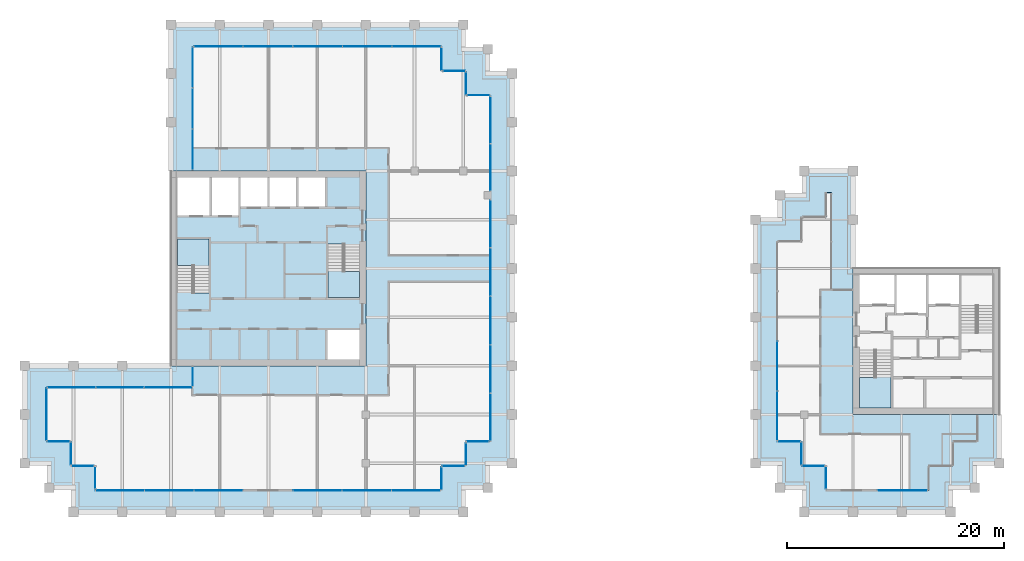
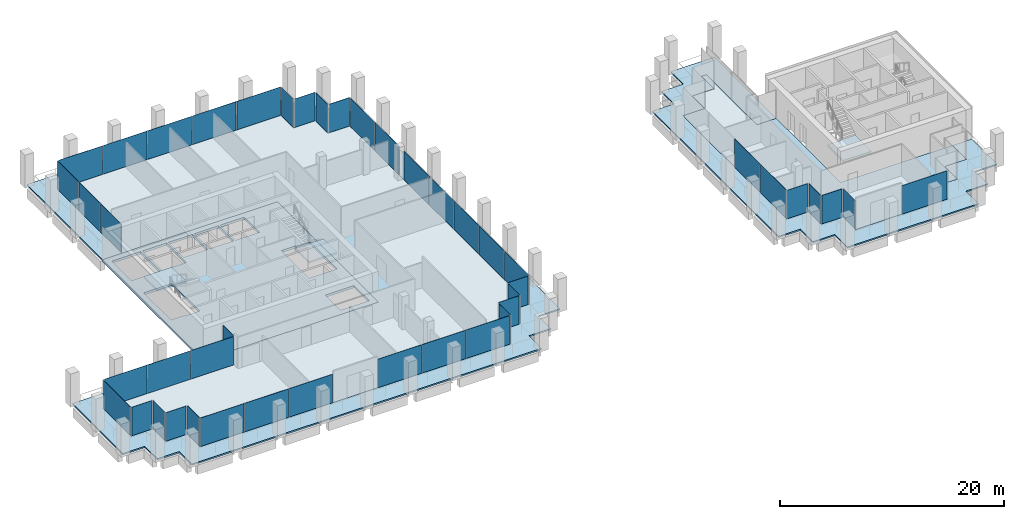
# One storey, part 34 of 40: 45 plates, 8 slabs, 30 elements without a shape of their own.
"""IFC4 building model written with IfcOpenShell, lengths in metres."""

from ifc_helpers import new_model, si_unit, direction, frame, origin, origin_2d, place, context, subcontext, project, spatial, polyline, rectangle, outline, extrude, material, layer, layer_set, type_object, element, aggregate, save


model = new_model("IFC4")

# Units and contexts
model_context = context("Model", 3, precision=1e-05, world=origin(), true_north=direction((0.0, 1.0)))
body_context = subcontext(model_context, "Body", "Model", "MODEL_VIEW")
ifc_project = project(units=[si_unit("LENGTHUNIT", "METRE"), si_unit("AREAUNIT", "SQUARE_METRE"), si_unit("VOLUMEUNIT", "CUBIC_METRE"), si_unit("PLANEANGLEUNIT", "RADIAN"), si_unit("MASSUNIT", "GRAM", prefix="KILO")], contexts=[model_context])

# Site, building, storey
site_placement = place(None, origin())
site = spatial("IfcSite", under=ifc_project, at=site_placement, CompositionType="ELEMENT")
building_placement = place(site_placement, origin())
building = spatial("IfcBuilding", under=site, at=building_placement, Name="Altepetl Exchange Towers", CompositionType="ELEMENT")
storey_placement = place(building_placement, frame((0.0, 0.0, 165.39990234375)))
storey = spatial("IfcBuildingStorey", under=building, at=storey_placement, Name="L41", CompositionType="ELEMENT", Elevation=165.39990234375)

# Slabs
ifc_material_1 = material(Name="Concrete C40/50", Category="concrete")
ifc_layer_1 = layer(ifc_material_1, 0.14990234375)
ifc_layer_set_1 = layer_set([ifc_layer_1], Name="Concrete C40/50")
slab_type_1 = type_object("IfcSlabType", Name="Composite floor slab 150", PredefinedType="FLOOR", material=ifc_layer_set_1)
slab_1_placement = place(storey_placement, frame((0.0, 0.0, -0.14990234375)))
element("IfcSlab", 1, at=slab_1_placement, inside=storey, type_object=slab_type_1, Name="slab:A:L41:strip0", PredefinedType="FLOOR", context=body_context, shape_type="SweptSolid", body=[
    extrude(outline(polyline([(42.5, 70.0), (42.5, 58.5), (58.5, 58.5), (58.5, 40.5), (42.5, 40.5), (42.5, 38.5), (29.0, 38.5), (29.0, 33.5), (31.25, 33.5), (31.25, 31.25), (33.5, 31.25), (33.5, 29.0), (65.5, 29.0), (65.5, 31.25), (67.75, 31.25), (67.75, 33.5), (70.0, 33.5), (70.0, 65.5), (67.75, 65.5), (67.75, 67.75), (65.5, 67.75), (65.5, 70.0), (42.5, 70.0)])), origin(), (0.0, 0.0, 1.0), 0.14990234375),
])
slab_2_placement = place(storey_placement, frame((0.0, 0.0, -0.14990234375)))
element("IfcSlab", 2, at=slab_2_placement, inside=storey, type_object=slab_type_1, Name="slab:B:L41:strip0", PredefinedType="FLOOR", context=body_context, shape_type="SweptSolid", body=[
    extrude(outline(polyline([(98.75, 31.25), (101.0, 31.25), (101.0, 29.0), (110.5, 29.0), (110.5, 31.25), (112.75, 31.25), (112.75, 33.5), (115.0, 33.5), (115.0, 36.0), (103.5, 36.0), (103.5, 47.5), (101.5, 47.5), (101.5, 56.5), (101.0, 56.5), (101.0, 54.25), (98.75, 54.25), (98.75, 52.0), (96.5, 52.0), (96.5, 33.5), (98.75, 33.5), (98.75, 31.25)])), origin(), (0.0, 0.0, 1.0), 0.14990234375),
])
ifc_layer_2 = layer(ifc_material_1, 0.25)
ifc_layer_set_2 = layer_set([ifc_layer_2], Name="Concrete C40/50")
slab_type_2 = type_object("IfcSlabType", Name="Core floor slab 250", PredefinedType="FLOOR", material=ifc_layer_set_2)
slab_3_placement = place(storey_placement, frame((0.0, 0.0, -0.25)))
element("IfcSlab", 3, at=slab_3_placement, inside=storey, type_object=slab_type_2, Name="slab:A:L41:core0", PredefinedType="FLOOR", context=body_context, shape_type="SweptSolid", body=[
    extrude(outline(polyline([(40.5, 40.5), (58.5, 40.5), (58.5, 58.5), (40.5, 58.5), (40.5, 40.5)]), holes=[polyline([(54.93310546875, 43.800048828125), (57.89990234375, 43.800048828125), (57.89990234375, 41.10009765625), (54.93310546875, 41.10009765625), (54.93310546875, 43.800048828125)]), polyline([(55.0, 51.7490234375), (56.5, 51.7490234375), (56.5, 51.64990234375), (57.89990234375, 51.64990234375), (57.89990234375, 46.800048828125), (55.0, 46.800048828125), (55.0, 51.7490234375)]), polyline([(44.0, 47.2509765625), (42.5, 47.2509765625), (42.5, 47.35009765625), (41.10009765625, 47.35009765625), (41.10009765625, 52.199951171875), (44.0, 52.199951171875), (44.0, 47.2509765625)]), polyline([(41.10009765625, 57.89990234375), (44.06689453125, 57.89990234375), (44.06689453125, 54.39990234375), (41.10009765625, 54.39990234375), (41.10009765625, 57.89990234375)]), polyline([(44.26708984375, 57.89990234375), (46.73291015625, 57.89990234375), (46.73291015625, 54.39990234375), (44.26708984375, 54.39990234375), (44.26708984375, 57.89990234375)]), polyline([(46.93310546875, 57.89990234375), (49.39990234375, 57.89990234375), (49.39990234375, 55.199951171875), (46.93310546875, 55.199951171875), (46.93310546875, 57.89990234375)]), polyline([(49.60009765625, 57.89990234375), (52.06689453125, 57.89990234375), (52.06689453125, 55.199951171875), (49.60009765625, 55.199951171875), (49.60009765625, 57.89990234375)]), polyline([(52.26708984375, 57.89990234375), (54.73291015625, 57.89990234375), (54.73291015625, 55.199951171875), (52.26708984375, 55.199951171875), (52.26708984375, 57.89990234375)])]), origin(), (0.0, 0.0, 1.0), 0.25),
])

# Curtain wall, plate
ifc_material_2 = material(Name="Aluminium 6063-T6 glazing", Category="aluminium")
curtain_wall_type = type_object("IfcCurtainWallType", Name="Loggia glazing system", PredefinedType="NOTDEFINED", material=ifc_material_2)
curtain_wall_1_placement = place(storey_placement, origin())
curtain_wall_1 = element("IfcCurtainWall", 4, at=curtain_wall_1_placement, inside=storey, type_object=curtain_wall_type, Name="CW1 run", PredefinedType="NOTDEFINED")
ifc_material_3 = material(Name="Glass 6-16-6 low emissivity", Category="glass")
ifc_layer_3 = layer(ifc_material_3, 0.028076171875)
ifc_layer_set_3 = layer_set([ifc_layer_3], Name="Glass 6-16-6 low emissivity")
plate_type = type_object("IfcPlateType", Name="Glass panel 28 double glazed", PredefinedType="CURTAIN_PANEL", material=ifc_layer_set_3)
plate_1_placement = place(storey_placement, frame((42.5, 39.53759765625, 0.0), z_axis=(0.0, 0.0, 1.0), x_axis=(0.0, -1.0, 0.0)))
plate_1 = element("IfcPlate", 5, at=plate_1_placement, type_object=plate_type, Name="GP1 panel", PredefinedType="CURTAIN_PANEL", context=body_context, shape_type="SweptSolid", body=[
    extrude(rectangle(XDim=1.804931640625, YDim=0.028076171875, at=origin_2d()), origin(), (0.0, 0.0, 1.0), 3.10009765625),
])
aggregate(curtain_wall_1, [plate_1])

# Curtain wall, plates
curtain_wall_2_placement = place(storey_placement, origin())
curtain_wall_2 = element("IfcCurtainWall", 6, at=curtain_wall_2_placement, inside=storey, type_object=curtain_wall_type, Name="CW1 run", PredefinedType="NOTDEFINED")
plate_2_placement = place(storey_placement, frame((40.24755859375, 38.5, 0.0), z_axis=(0.0, 0.0, 1.0), x_axis=(-1.0, 0.0, 0.0)))
plate_2 = element("IfcPlate", 7, at=plate_2_placement, type_object=plate_type, Name="GP1 panel", PredefinedType="CURTAIN_PANEL", context=body_context, shape_type="SweptSolid", body=[
    extrude(rectangle(XDim=4.385009765625, YDim=0.028076171875, at=origin_2d()), origin(), (0.0, 0.0, 1.0), 3.10009765625),
])
plate_3_placement = place(storey_placement, frame((35.78759765625, 38.5, 0.0), z_axis=(0.0, 0.0, 1.0), x_axis=(-1.0, 0.0, 0.0)))
plate_3 = element("IfcPlate", 8, at=plate_3_placement, type_object=plate_type, Name="GP1 panel", PredefinedType="CURTAIN_PANEL", context=body_context, shape_type="SweptSolid", body=[
    extrude(rectangle(XDim=4.4150390625, YDim=0.028076171875, at=origin_2d()), origin(), (0.0, 0.0, 1.0), 3.10009765625),
])
plate_4_placement = place(storey_placement, frame((31.327392578125, 38.5, 0.0), z_axis=(0.0, 0.0, 1.0), x_axis=(-1.0, 0.0, 0.0)))
plate_4 = element("IfcPlate", 9, at=plate_4_placement, type_object=plate_type, Name="GP1 panel", PredefinedType="CURTAIN_PANEL", context=body_context, shape_type="SweptSolid", body=[
    extrude(rectangle(XDim=4.385009765625, YDim=0.028076171875, at=origin_2d()), origin(), (0.0, 0.0, 1.0), 3.10009765625),
])
aggregate(curtain_wall_2, [plate_2, plate_3, plate_4])

# Curtain wall, plate
curtain_wall_3_placement = place(storey_placement, origin())
curtain_wall_3 = element("IfcCurtainWall", 10, at=curtain_wall_3_placement, inside=storey, type_object=curtain_wall_type, Name="CW1 run", PredefinedType="NOTDEFINED")
plate_5_placement = place(storey_placement, frame((29.0, 36.03759765625, 0.0), z_axis=(0.0, 0.0, 1.0), x_axis=(0.0, -1.0, 0.0)))
plate_5 = element("IfcPlate", 11, at=plate_5_placement, type_object=plate_type, Name="GP1 panel", PredefinedType="CURTAIN_PANEL", context=body_context, shape_type="SweptSolid", body=[
    extrude(rectangle(XDim=4.804931640625, YDim=0.028076171875, at=origin_2d()), origin(), (0.0, 0.0, 1.0), 3.10009765625),
])
aggregate(curtain_wall_3, [plate_5])

curtain_wall_4_placement = place(storey_placement, origin())
curtain_wall_4 = element("IfcCurtainWall", 12, at=curtain_wall_4_placement, inside=storey, type_object=curtain_wall_type, Name="CW1 run", PredefinedType="NOTDEFINED")
plate_6_placement = place(storey_placement, frame((30.08740234375, 33.5, 0.0)))
plate_6 = element("IfcPlate", 13, at=plate_6_placement, type_object=plate_type, Name="GP1 panel", PredefinedType="CURTAIN_PANEL", context=body_context, shape_type="SweptSolid", body=[
    extrude(rectangle(XDim=2.054931640625, YDim=0.028076171875, at=origin_2d()), origin(), (0.0, 0.0, 1.0), 3.10009765625),
])
aggregate(curtain_wall_4, [plate_6])

curtain_wall_5_placement = place(storey_placement, origin())
curtain_wall_5 = element("IfcCurtainWall", 14, at=curtain_wall_5_placement, inside=storey, type_object=curtain_wall_type, Name="CW1 run", PredefinedType="NOTDEFINED")
plate_7_placement = place(storey_placement, frame((31.25, 32.41259765625, 0.0), z_axis=(0.0, 0.0, 1.0), x_axis=(0.0, -1.0, 0.0)))
plate_7 = element("IfcPlate", 15, at=plate_7_placement, type_object=plate_type, Name="GP1 panel", PredefinedType="CURTAIN_PANEL", context=body_context, shape_type="SweptSolid", body=[
    extrude(rectangle(XDim=2.054931640625, YDim=0.028076171875, at=origin_2d()), origin(), (0.0, 0.0, 1.0), 3.10009765625),
])
aggregate(curtain_wall_5, [plate_7])

curtain_wall_6_placement = place(storey_placement, origin())
curtain_wall_6 = element("IfcCurtainWall", 16, at=curtain_wall_6_placement, inside=storey, type_object=curtain_wall_type, Name="CW1 run", PredefinedType="NOTDEFINED")
plate_8_placement = place(storey_placement, frame((32.33740234375, 31.25, 0.0)))
plate_8 = element("IfcPlate", 17, at=plate_8_placement, type_object=plate_type, Name="GP1 panel", PredefinedType="CURTAIN_PANEL", context=body_context, shape_type="SweptSolid", body=[
    extrude(rectangle(XDim=2.054931640625, YDim=0.028076171875, at=origin_2d()), origin(), (0.0, 0.0, 1.0), 3.10009765625),
])
aggregate(curtain_wall_6, [plate_8])

curtain_wall_7_placement = place(storey_placement, origin())
curtain_wall_7 = element("IfcCurtainWall", 18, at=curtain_wall_7_placement, inside=storey, type_object=curtain_wall_type, Name="CW1 run", PredefinedType="NOTDEFINED")
plate_9_placement = place(storey_placement, frame((33.5, 30.16259765625, 0.0), z_axis=(0.0, 0.0, 1.0), x_axis=(0.0, -1.0, 0.0)))
plate_9 = element("IfcPlate", 19, at=plate_9_placement, type_object=plate_type, Name="GP1 panel", PredefinedType="CURTAIN_PANEL", context=body_context, shape_type="SweptSolid", body=[
    extrude(rectangle(XDim=2.054931640625, YDim=0.028076171875, at=origin_2d()), origin(), (0.0, 0.0, 1.0), 3.10009765625),
])
aggregate(curtain_wall_7, [plate_9])

# Curtain wall, plates
curtain_wall_8_placement = place(storey_placement, origin())
curtain_wall_8 = element("IfcCurtainWall", 20, at=curtain_wall_8_placement, inside=storey, type_object=curtain_wall_type, Name="CW1 run", PredefinedType="NOTDEFINED")
plate_10_placement = place(storey_placement, frame((35.79541015625, 29.0, 0.0)))
plate_10 = element("IfcPlate", 21, at=plate_10_placement, type_object=plate_type, Name="GP1 panel", PredefinedType="CURTAIN_PANEL", context=body_context, shape_type="SweptSolid", body=[
    extrude(rectangle(XDim=4.470703125, YDim=0.028076171875, at=origin_2d()), origin(), (0.0, 0.0, 1.0), 3.10009765625),
])
plate_11_placement = place(storey_placement, frame((40.341064453125, 29.0, 0.0)))
plate_11 = element("IfcPlate", 22, at=plate_11_placement, type_object=plate_type, Name="GP1 panel", PredefinedType="CURTAIN_PANEL", context=body_context, shape_type="SweptSolid", body=[
    extrude(rectangle(XDim=4.500732421875, YDim=0.028076171875, at=origin_2d()), origin(), (0.0, 0.0, 1.0), 3.10009765625),
])
plate_12_placement = place(storey_placement, frame((44.88671875, 29.0, 0.0)))
plate_12 = element("IfcPlate", 23, at=plate_12_placement, type_object=plate_type, Name="GP1 panel", PredefinedType="CURTAIN_PANEL", context=body_context, shape_type="SweptSolid", body=[
    extrude(rectangle(XDim=4.470703125, YDim=0.028076171875, at=origin_2d()), origin(), (0.0, 0.0, 1.0), 3.10009765625),
])
aggregate(curtain_wall_8, [plate_10, plate_11, plate_12])

curtain_wall_9_placement = place(storey_placement, origin())
curtain_wall_9 = element("IfcCurtainWall", 24, at=curtain_wall_9_placement, inside=storey, type_object=curtain_wall_type, Name="CW1 run", PredefinedType="NOTDEFINED")
plate_13_placement = place(storey_placement, frame((54.038330078125, 29.0, 0.0)))
plate_13 = element("IfcPlate", 25, at=plate_13_placement, type_object=plate_type, Name="GP1 panel", PredefinedType="CURTAIN_PANEL", context=body_context, shape_type="SweptSolid", body=[
    extrude(rectangle(XDim=4.470703125, YDim=0.028076171875, at=origin_2d()), origin(), (0.0, 0.0, 1.0), 3.10009765625),
])
plate_14_placement = place(storey_placement, frame((58.583984375, 29.0, 0.0)))
plate_14 = element("IfcPlate", 26, at=plate_14_placement, type_object=plate_type, Name="GP1 panel", PredefinedType="CURTAIN_PANEL", context=body_context, shape_type="SweptSolid", body=[
    extrude(rectangle(XDim=4.500732421875, YDim=0.028076171875, at=origin_2d()), origin(), (0.0, 0.0, 1.0), 3.10009765625),
])
plate_15_placement = place(storey_placement, frame((63.129638671875, 29.0, 0.0)))
plate_15 = element("IfcPlate", 27, at=plate_15_placement, type_object=plate_type, Name="GP1 panel", PredefinedType="CURTAIN_PANEL", context=body_context, shape_type="SweptSolid", body=[
    extrude(rectangle(XDim=4.470703125, YDim=0.028076171875, at=origin_2d()), origin(), (0.0, 0.0, 1.0), 3.10009765625),
])
aggregate(curtain_wall_9, [plate_13, plate_14, plate_15])

# Curtain wall, plate
curtain_wall_10_placement = place(storey_placement, origin())
curtain_wall_10 = element("IfcCurtainWall", 28, at=curtain_wall_10_placement, inside=storey, type_object=curtain_wall_type, Name="CW1 run", PredefinedType="NOTDEFINED")
plate_16_placement = place(storey_placement, frame((65.5, 30.08740234375, 0.0), z_axis=(0.0, 0.0, 1.0), x_axis=(0.0, 1.0, 0.0)))
plate_16 = element("IfcPlate", 29, at=plate_16_placement, type_object=plate_type, Name="GP1 panel", PredefinedType="CURTAIN_PANEL", context=body_context, shape_type="SweptSolid", body=[
    extrude(rectangle(XDim=2.054931640625, YDim=0.028076171875, at=origin_2d()), origin(), (0.0, 0.0, 1.0), 3.10009765625),
])
aggregate(curtain_wall_10, [plate_16])

curtain_wall_11_placement = place(storey_placement, origin())
curtain_wall_11 = element("IfcCurtainWall", 30, at=curtain_wall_11_placement, inside=storey, type_object=curtain_wall_type, Name="CW1 run", PredefinedType="NOTDEFINED")
plate_17_placement = place(storey_placement, frame((66.58740234375, 31.25, 0.0)))
plate_17 = element("IfcPlate", 31, at=plate_17_placement, type_object=plate_type, Name="GP1 panel", PredefinedType="CURTAIN_PANEL", context=body_context, shape_type="SweptSolid", body=[
    extrude(rectangle(XDim=2.054931640625, YDim=0.028076171875, at=origin_2d()), origin(), (0.0, 0.0, 1.0), 3.10009765625),
])
aggregate(curtain_wall_11, [plate_17])

curtain_wall_12_placement = place(storey_placement, origin())
curtain_wall_12 = element("IfcCurtainWall", 32, at=curtain_wall_12_placement, inside=storey, type_object=curtain_wall_type, Name="CW1 run", PredefinedType="NOTDEFINED")
plate_18_placement = place(storey_placement, frame((67.75, 32.33740234375, 0.0), z_axis=(0.0, 0.0, 1.0), x_axis=(0.0, 1.0, 0.0)))
plate_18 = element("IfcPlate", 33, at=plate_18_placement, type_object=plate_type, Name="GP1 panel", PredefinedType="CURTAIN_PANEL", context=body_context, shape_type="SweptSolid", body=[
    extrude(rectangle(XDim=2.054931640625, YDim=0.028076171875, at=origin_2d()), origin(), (0.0, 0.0, 1.0), 3.10009765625),
])
aggregate(curtain_wall_12, [plate_18])

curtain_wall_13_placement = place(storey_placement, origin())
curtain_wall_13 = element("IfcCurtainWall", 34, at=curtain_wall_13_placement, inside=storey, type_object=curtain_wall_type, Name="CW1 run", PredefinedType="NOTDEFINED")
plate_19_placement = place(storey_placement, frame((68.83740234375, 33.5, 0.0)))
plate_19 = element("IfcPlate", 35, at=plate_19_placement, type_object=plate_type, Name="GP1 panel", PredefinedType="CURTAIN_PANEL", context=body_context, shape_type="SweptSolid", body=[
    extrude(rectangle(XDim=2.054931640625, YDim=0.028076171875, at=origin_2d()), origin(), (0.0, 0.0, 1.0), 3.10009765625),
])
aggregate(curtain_wall_13, [plate_19])

# Curtain wall, plates
curtain_wall_14_placement = place(storey_placement, origin())
curtain_wall_14 = element("IfcCurtainWall", 36, at=curtain_wall_14_placement, inside=storey, type_object=curtain_wall_type, Name="CW1 run", PredefinedType="NOTDEFINED")
plate_20_placement = place(storey_placement, frame((70.0, 35.7529296875, 0.0), z_axis=(0.0, 0.0, 1.0), x_axis=(0.0, 1.0, 0.0)))
plate_20 = element("IfcPlate", 37, at=plate_20_placement, type_object=plate_type, Name="GP1 panel", PredefinedType="CURTAIN_PANEL", context=body_context, shape_type="SweptSolid", body=[
    extrude(rectangle(XDim=4.385986328125, YDim=0.028076171875, at=origin_2d()), origin(), (0.0, 0.0, 1.0), 3.10009765625),
])
plate_21_placement = place(storey_placement, frame((70.0, 40.214111328125, 0.0), z_axis=(0.0, 0.0, 1.0), x_axis=(0.0, 1.0, 0.0)))
plate_21 = element("IfcPlate", 38, at=plate_21_placement, type_object=plate_type, Name="GP1 panel", PredefinedType="CURTAIN_PANEL", context=body_context, shape_type="SweptSolid", body=[
    extrude(rectangle(XDim=4.416015625, YDim=0.028076171875, at=origin_2d()), origin(), (0.0, 0.0, 1.0), 3.10009765625),
])
plate_22_placement = place(storey_placement, frame((70.0, 44.68994140625, 0.0), z_axis=(0.0, 0.0, 1.0), x_axis=(0.0, 1.0, 0.0)))
plate_22 = element("IfcPlate", 39, at=plate_22_placement, type_object=plate_type, Name="GP1 panel", PredefinedType="CURTAIN_PANEL", context=body_context, shape_type="SweptSolid", body=[
    extrude(rectangle(XDim=4.416015625, YDim=0.028076171875, at=origin_2d()), origin(), (0.0, 0.0, 1.0), 3.10009765625),
])
plate_23_placement = place(storey_placement, frame((70.0, 49.166015625, 0.0), z_axis=(0.0, 0.0, 1.0), x_axis=(0.0, 1.0, 0.0)))
plate_23 = element("IfcPlate", 40, at=plate_23_placement, type_object=plate_type, Name="GP1 panel", PredefinedType="CURTAIN_PANEL", context=body_context, shape_type="SweptSolid", body=[
    extrude(rectangle(XDim=4.416015625, YDim=0.028076171875, at=origin_2d()), origin(), (0.0, 0.0, 1.0), 3.10009765625),
])
plate_24_placement = place(storey_placement, frame((70.0, 53.626953125, 0.0), z_axis=(0.0, 0.0, 1.0), x_axis=(0.0, 1.0, 0.0)))
plate_24 = element("IfcPlate", 41, at=plate_24_placement, type_object=plate_type, Name="GP1 panel", PredefinedType="CURTAIN_PANEL", context=body_context, shape_type="SweptSolid", body=[
    extrude(rectangle(XDim=4.385986328125, YDim=0.028076171875, at=origin_2d()), origin(), (0.0, 0.0, 1.0), 3.10009765625),
])
aggregate(curtain_wall_14, [plate_20, plate_21, plate_22, plate_23, plate_24])

curtain_wall_15_placement = place(storey_placement, origin())
curtain_wall_15 = element("IfcCurtainWall", 42, at=curtain_wall_15_placement, inside=storey, type_object=curtain_wall_type, Name="CW1 run", PredefinedType="NOTDEFINED")
plate_25_placement = place(storey_placement, frame((70.0, 58.836181640625, 0.0), z_axis=(0.0, 0.0, 1.0), x_axis=(0.0, 1.0, 0.0)))
plate_25 = element("IfcPlate", 43, at=plate_25_placement, type_object=plate_type, Name="GP1 panel", PredefinedType="CURTAIN_PANEL", context=body_context, shape_type="SweptSolid", body=[
    extrude(rectangle(XDim=4.3125, YDim=0.028076171875, at=origin_2d()), origin(), (0.0, 0.0, 1.0), 3.10009765625),
])
plate_26_placement = place(storey_placement, frame((70.0, 63.208740234375, 0.0), z_axis=(0.0, 0.0, 1.0), x_axis=(0.0, 1.0, 0.0)))
plate_26 = element("IfcPlate", 44, at=plate_26_placement, type_object=plate_type, Name="GP1 panel", PredefinedType="CURTAIN_PANEL", context=body_context, shape_type="SweptSolid", body=[
    extrude(rectangle(XDim=4.3125, YDim=0.028076171875, at=origin_2d()), origin(), (0.0, 0.0, 1.0), 3.10009765625),
])
aggregate(curtain_wall_15, [plate_25, plate_26])

# Curtain wall, plate
curtain_wall_16_placement = place(storey_placement, origin())
curtain_wall_16 = element("IfcCurtainWall", 45, at=curtain_wall_16_placement, inside=storey, type_object=curtain_wall_type, Name="CW1 run", PredefinedType="NOTDEFINED")
plate_27_placement = place(storey_placement, frame((68.91259765625, 65.5, 0.0), z_axis=(0.0, 0.0, 1.0), x_axis=(-1.0, 0.0, 0.0)))
plate_27 = element("IfcPlate", 46, at=plate_27_placement, type_object=plate_type, Name="GP1 panel", PredefinedType="CURTAIN_PANEL", context=body_context, shape_type="SweptSolid", body=[
    extrude(rectangle(XDim=2.054931640625, YDim=0.028076171875, at=origin_2d()), origin(), (0.0, 0.0, 1.0), 3.10009765625),
])
aggregate(curtain_wall_16, [plate_27])

curtain_wall_17_placement = place(storey_placement, origin())
curtain_wall_17 = element("IfcCurtainWall", 47, at=curtain_wall_17_placement, inside=storey, type_object=curtain_wall_type, Name="CW1 run", PredefinedType="NOTDEFINED")
plate_28_placement = place(storey_placement, frame((67.75, 66.58740234375, 0.0), z_axis=(0.0, 0.0, 1.0), x_axis=(0.0, 1.0, 0.0)))
plate_28 = element("IfcPlate", 48, at=plate_28_placement, type_object=plate_type, Name="GP1 panel", PredefinedType="CURTAIN_PANEL", context=body_context, shape_type="SweptSolid", body=[
    extrude(rectangle(XDim=2.054931640625, YDim=0.028076171875, at=origin_2d()), origin(), (0.0, 0.0, 1.0), 3.10009765625),
])
aggregate(curtain_wall_17, [plate_28])

curtain_wall_18_placement = place(storey_placement, origin())
curtain_wall_18 = element("IfcCurtainWall", 49, at=curtain_wall_18_placement, inside=storey, type_object=curtain_wall_type, Name="CW1 run", PredefinedType="NOTDEFINED")
plate_29_placement = place(storey_placement, frame((66.66259765625, 67.75, 0.0), z_axis=(0.0, 0.0, 1.0), x_axis=(-1.0, 0.0, 0.0)))
plate_29 = element("IfcPlate", 50, at=plate_29_placement, type_object=plate_type, Name="GP1 panel", PredefinedType="CURTAIN_PANEL", context=body_context, shape_type="SweptSolid", body=[
    extrude(rectangle(XDim=2.054931640625, YDim=0.028076171875, at=origin_2d()), origin(), (0.0, 0.0, 1.0), 3.10009765625),
])
aggregate(curtain_wall_18, [plate_29])

curtain_wall_19_placement = place(storey_placement, origin())
curtain_wall_19 = element("IfcCurtainWall", 51, at=curtain_wall_19_placement, inside=storey, type_object=curtain_wall_type, Name="CW1 run", PredefinedType="NOTDEFINED")
plate_30_placement = place(storey_placement, frame((65.5, 68.83740234375, 0.0), z_axis=(0.0, 0.0, 1.0), x_axis=(0.0, 1.0, 0.0)))
plate_30 = element("IfcPlate", 52, at=plate_30_placement, type_object=plate_type, Name="GP1 panel", PredefinedType="CURTAIN_PANEL", context=body_context, shape_type="SweptSolid", body=[
    extrude(rectangle(XDim=2.054931640625, YDim=0.028076171875, at=origin_2d()), origin(), (0.0, 0.0, 1.0), 3.10009765625),
])
aggregate(curtain_wall_19, [plate_30])

# Curtain wall, plates
curtain_wall_20_placement = place(storey_placement, origin())
curtain_wall_20 = element("IfcCurtainWall", 53, at=curtain_wall_20_placement, inside=storey, type_object=curtain_wall_type, Name="CW1 run", PredefinedType="NOTDEFINED")
plate_31_placement = place(storey_placement, frame((63.1923828125, 70.0, 0.0), z_axis=(0.0, 0.0, 1.0), x_axis=(-1.0, 0.0, 0.0)))
plate_31 = element("IfcPlate", 54, at=plate_31_placement, type_object=plate_type, Name="GP1 panel", PredefinedType="CURTAIN_PANEL", context=body_context, shape_type="SweptSolid", body=[
    extrude(rectangle(XDim=4.4951171875, YDim=0.028076171875, at=origin_2d()), origin(), (0.0, 0.0, 1.0), 3.10009765625),
])
plate_32_placement = place(storey_placement, frame((58.62255859375, 70.0, 0.0), z_axis=(0.0, 0.0, 1.0), x_axis=(-1.0, 0.0, 0.0)))
plate_32 = element("IfcPlate", 55, at=plate_32_placement, type_object=plate_type, Name="GP1 panel", PredefinedType="CURTAIN_PANEL", context=body_context, shape_type="SweptSolid", body=[
    extrude(rectangle(XDim=4.52490234375, YDim=0.028076171875, at=origin_2d()), origin(), (0.0, 0.0, 1.0), 3.10009765625),
])
plate_33_placement = place(storey_placement, frame((54.03759765625, 70.0, 0.0), z_axis=(0.0, 0.0, 1.0), x_axis=(-1.0, 0.0, 0.0)))
plate_33 = element("IfcPlate", 56, at=plate_33_placement, type_object=plate_type, Name="GP1 panel", PredefinedType="CURTAIN_PANEL", context=body_context, shape_type="SweptSolid", body=[
    extrude(rectangle(XDim=4.52490234375, YDim=0.028076171875, at=origin_2d()), origin(), (0.0, 0.0, 1.0), 3.10009765625),
])
plate_34_placement = place(storey_placement, frame((49.452392578125, 70.0, 0.0), z_axis=(0.0, 0.0, 1.0), x_axis=(-1.0, 0.0, 0.0)))
plate_34 = element("IfcPlate", 57, at=plate_34_placement, type_object=plate_type, Name="GP1 panel", PredefinedType="CURTAIN_PANEL", context=body_context, shape_type="SweptSolid", body=[
    extrude(rectangle(XDim=4.52490234375, YDim=0.028076171875, at=origin_2d()), origin(), (0.0, 0.0, 1.0), 3.10009765625),
])
plate_35_placement = place(storey_placement, frame((44.882568359375, 70.0, 0.0), z_axis=(0.0, 0.0, 1.0), x_axis=(-1.0, 0.0, 0.0)))
plate_35 = element("IfcPlate", 58, at=plate_35_placement, type_object=plate_type, Name="GP1 panel", PredefinedType="CURTAIN_PANEL", context=body_context, shape_type="SweptSolid", body=[
    extrude(rectangle(XDim=4.4951171875, YDim=0.028076171875, at=origin_2d()), origin(), (0.0, 0.0, 1.0), 3.10009765625),
])
aggregate(curtain_wall_20, [plate_31, plate_32, plate_33, plate_34, plate_35])

curtain_wall_21_placement = place(storey_placement, origin())
curtain_wall_21 = element("IfcCurtainWall", 59, at=curtain_wall_21_placement, inside=storey, type_object=curtain_wall_type, Name="CW1 run", PredefinedType="NOTDEFINED")
plate_36_placement = place(storey_placement, frame((42.5, 68.080810546875, 0.0), z_axis=(0.0, 0.0, 1.0), x_axis=(0.0, -1.0, 0.0)))
plate_36 = element("IfcPlate", 60, at=plate_36_placement, type_object=plate_type, Name="GP1 panel", PredefinedType="CURTAIN_PANEL", context=body_context, shape_type="SweptSolid", body=[
    extrude(rectangle(XDim=3.71826171875, YDim=0.028076171875, at=origin_2d()), origin(), (0.0, 0.0, 1.0), 3.10009765625),
])
plate_37_placement = place(storey_placement, frame((42.5, 64.28759765625, 0.0), z_axis=(0.0, 0.0, 1.0), x_axis=(0.0, -1.0, 0.0)))
plate_37 = element("IfcPlate", 61, at=plate_37_placement, type_object=plate_type, Name="GP1 panel", PredefinedType="CURTAIN_PANEL", context=body_context, shape_type="SweptSolid", body=[
    extrude(rectangle(XDim=3.748291015625, YDim=0.028076171875, at=origin_2d()), origin(), (0.0, 0.0, 1.0), 3.10009765625),
])
plate_38_placement = place(storey_placement, frame((42.5, 60.494140625, 0.0), z_axis=(0.0, 0.0, 1.0), x_axis=(0.0, -1.0, 0.0)))
plate_38 = element("IfcPlate", 62, at=plate_38_placement, type_object=plate_type, Name="GP1 panel", PredefinedType="CURTAIN_PANEL", context=body_context, shape_type="SweptSolid", body=[
    extrude(rectangle(XDim=3.71826171875, YDim=0.028076171875, at=origin_2d()), origin(), (0.0, 0.0, 1.0), 3.10009765625),
])
aggregate(curtain_wall_21, [plate_36, plate_37, plate_38])

# Curtain wall, plate
curtain_wall_22_placement = place(storey_placement, origin())
curtain_wall_22 = element("IfcCurtainWall", 63, at=curtain_wall_22_placement, inside=storey, type_object=curtain_wall_type, Name="CW1 run", PredefinedType="NOTDEFINED")
plate_39_placement = place(storey_placement, frame((101.0, 30.16259765625, 0.0), z_axis=(0.0, 0.0, 1.0), x_axis=(0.0, -1.0, 0.0)))
plate_39 = element("IfcPlate", 64, at=plate_39_placement, type_object=plate_type, Name="GP1 panel", PredefinedType="CURTAIN_PANEL", context=body_context, shape_type="SweptSolid", body=[
    extrude(rectangle(XDim=2.054931640625, YDim=0.028076171875, at=origin_2d()), origin(), (0.0, 0.0, 1.0), 3.10009765625),
])
aggregate(curtain_wall_22, [plate_39])

curtain_wall_23_placement = place(storey_placement, origin())
curtain_wall_23 = element("IfcCurtainWall", 65, at=curtain_wall_23_placement, inside=storey, type_object=curtain_wall_type, Name="CW1 run", PredefinedType="NOTDEFINED")
plate_40_placement = place(storey_placement, frame((108.06884765625, 29.0, 0.0)))
plate_40 = element("IfcPlate", 66, at=plate_40_placement, type_object=plate_type, Name="GP1 panel", PredefinedType="CURTAIN_PANEL", context=body_context, shape_type="SweptSolid", body=[
    extrude(rectangle(XDim=4.592529296875, YDim=0.028076171875, at=origin_2d()), origin(), (0.0, 0.0, 1.0), 3.10009765625),
])
aggregate(curtain_wall_23, [plate_40])

# Curtain wall, plates
curtain_wall_24_placement = place(storey_placement, origin())
curtain_wall_24 = element("IfcCurtainWall", 67, at=curtain_wall_24_placement, inside=storey, type_object=curtain_wall_type, Name="CW1 run", PredefinedType="NOTDEFINED")
plate_41_placement = place(storey_placement, frame((96.5, 40.484375, 0.0), z_axis=(0.0, 0.0, 1.0), x_axis=(0.0, -1.0, 0.0)))
plate_41 = element("IfcPlate", 68, at=plate_41_placement, type_object=plate_type, Name="GP1 panel", PredefinedType="CURTAIN_PANEL", context=body_context, shape_type="SweptSolid", body=[
    extrude(rectangle(XDim=4.546142578125, YDim=0.028076171875, at=origin_2d()), origin(), (0.0, 0.0, 1.0), 3.10009765625),
])
plate_42_placement = place(storey_placement, frame((96.5, 35.89306640625, 0.0), z_axis=(0.0, 0.0, 1.0), x_axis=(0.0, -1.0, 0.0)))
plate_42 = element("IfcPlate", 69, at=plate_42_placement, type_object=plate_type, Name="GP1 panel", PredefinedType="CURTAIN_PANEL", context=body_context, shape_type="SweptSolid", body=[
    extrude(rectangle(XDim=4.516357421875, YDim=0.028076171875, at=origin_2d()), origin(), (0.0, 0.0, 1.0), 3.10009765625),
])
aggregate(curtain_wall_24, [plate_41, plate_42])

# Curtain wall, plate
curtain_wall_25_placement = place(storey_placement, origin())
curtain_wall_25 = element("IfcCurtainWall", 70, at=curtain_wall_25_placement, inside=storey, type_object=curtain_wall_type, Name="CW1 run", PredefinedType="NOTDEFINED")
plate_43_placement = place(storey_placement, frame((97.58740234375, 33.5, 0.0)))
plate_43 = element("IfcPlate", 71, at=plate_43_placement, type_object=plate_type, Name="GP1 panel", PredefinedType="CURTAIN_PANEL", context=body_context, shape_type="SweptSolid", body=[
    extrude(rectangle(XDim=2.054931640625, YDim=0.028076171875, at=origin_2d()), origin(), (0.0, 0.0, 1.0), 3.10009765625),
])
aggregate(curtain_wall_25, [plate_43])

curtain_wall_26_placement = place(storey_placement, origin())
curtain_wall_26 = element("IfcCurtainWall", 72, at=curtain_wall_26_placement, inside=storey, type_object=curtain_wall_type, Name="CW1 run", PredefinedType="NOTDEFINED")
plate_44_placement = place(storey_placement, frame((98.75, 32.41259765625, 0.0), z_axis=(0.0, 0.0, 1.0), x_axis=(0.0, -1.0, 0.0)))
plate_44 = element("IfcPlate", 73, at=plate_44_placement, type_object=plate_type, Name="GP1 panel", PredefinedType="CURTAIN_PANEL", context=body_context, shape_type="SweptSolid", body=[
    extrude(rectangle(XDim=2.054931640625, YDim=0.028076171875, at=origin_2d()), origin(), (0.0, 0.0, 1.0), 3.10009765625),
])
aggregate(curtain_wall_26, [plate_44])

curtain_wall_27_placement = place(storey_placement, origin())
curtain_wall_27 = element("IfcCurtainWall", 74, at=curtain_wall_27_placement, inside=storey, type_object=curtain_wall_type, Name="CW1 run", PredefinedType="NOTDEFINED")
plate_45_placement = place(storey_placement, frame((99.83740234375, 31.25, 0.0)))
plate_45 = element("IfcPlate", 75, at=plate_45_placement, type_object=plate_type, Name="GP1 panel", PredefinedType="CURTAIN_PANEL", context=body_context, shape_type="SweptSolid", body=[
    extrude(rectangle(XDim=2.054931640625, YDim=0.028076171875, at=origin_2d()), origin(), (0.0, 0.0, 1.0), 3.10009765625),
])
aggregate(curtain_wall_27, [plate_45])

# Slabs
ifc_layer_4 = layer(ifc_material_1, 0.14990234375)
ifc_layer_set_4 = layer_set([ifc_layer_4], Name="Concrete C40/50")
slab_type_3 = type_object("IfcSlabType", Name="Loggia slab 150", PredefinedType="FLOOR", material=ifc_layer_set_4)
slab_4_placement = place(storey_placement, frame((0.0, 0.0, -0.14990234375)))
element("IfcSlab", 76, at=slab_4_placement, inside=storey, type_object=slab_type_3, Name="slab:A:L41:loggia0", PredefinedType="FLOOR", context=body_context, shape_type="SweptSolid", body=[
    extrude(outline(polyline([(40.5, 72.0), (40.5, 58.5), (42.5, 58.5), (42.5, 70.0), (65.5, 70.0), (65.5, 67.75), (67.75, 67.75), (67.75, 65.5), (70.0, 65.5), (70.0, 33.5), (67.75, 33.5), (67.75, 31.25), (65.5, 31.25), (65.5, 29.0), (33.5, 29.0), (33.5, 31.25), (31.25, 31.25), (31.25, 33.5), (29.0, 33.5), (29.0, 38.5), (42.5, 38.5), (42.5, 40.5), (40.5, 40.5), (27.0, 40.5), (27.0, 31.5), (29.25, 31.5), (29.25, 29.25), (31.5, 29.25), (31.5, 27.0), (58.5, 27.0), (67.5, 27.0), (67.5, 29.25), (69.75, 29.25), (69.75, 31.5), (72.0, 31.5), (72.0, 58.5), (72.0, 67.5), (69.75, 67.5), (69.75, 69.75), (67.5, 69.75), (67.5, 72.0), (40.5, 72.0)])), origin(), (0.0, 0.0, 1.0), 0.14990234375),
])
slab_5_placement = place(storey_placement, frame((0.0, 0.0, -0.14990234375)))
element("IfcSlab", 77, at=slab_5_placement, inside=storey, type_object=slab_type_3, Name="slab:B:L41:loggia0", PredefinedType="FLOOR", context=body_context, shape_type="SweptSolid", body=[
    extrude(outline(polyline([(99.0, 29.25), (99.0, 27.0), (112.5, 27.0), (112.5, 29.25), (114.75, 29.25), (114.75, 31.5), (117.0, 31.5), (117.0, 36.0), (115.0, 36.0), (115.0, 33.5), (112.75, 33.5), (112.75, 31.25), (110.5, 31.25), (110.5, 29.0), (101.0, 29.0), (101.0, 31.25), (98.75, 31.25), (98.75, 33.5), (96.5, 33.5), (96.5, 52.0), (98.75, 52.0), (98.75, 54.25), (101.0, 54.25), (101.0, 56.5), (101.5, 56.5), (101.5, 47.5), (103.5, 47.5), (103.5, 49.5), (103.5, 58.5), (99.0, 58.5), (99.0, 56.25), (96.75, 56.25), (96.75, 54.0), (94.5, 54.0), (94.5, 36.0), (94.5, 31.5), (96.75, 31.5), (96.75, 29.25), (99.0, 29.25)])), origin(), (0.0, 0.0, 1.0), 0.14990234375),
])

# Stair, slab
stair_type = type_object("IfcStairType", Name="Exit stair 1400 flights dogleg", PredefinedType="HALF_TURN_STAIR", material=ifc_material_1)
stair_1_placement = place(storey_placement, origin())
stair_1 = element("IfcStair", 78, at=stair_1_placement, inside=storey, type_object=stair_type, Name="Exit stair 1", PredefinedType="HALF_TURN_STAIR")
ifc_layer_5 = layer(ifc_material_1, 0.199951171875)
ifc_layer_set_5 = layer_set([ifc_layer_5], Name="Concrete C40/50")
slab_type_4 = type_object("IfcSlabType", Name="Stair landing 200 reinforced concrete", PredefinedType="LANDING", material=ifc_layer_set_5)
slab_6_placement = place(storey_placement, frame((0.0, 0.0, 1.60009765625)))
slab_6 = element("IfcSlab", 79, at=slab_6_placement, type_object=slab_type_4, Name="ST-A1e landing 1", PredefinedType="LANDING", context=body_context, shape_type="SweptSolid", body=[
    extrude(outline(polyline([(44.0, 49.669921875), (42.60009765625, 49.669921875), (42.60009765625, 49.77001953125), (42.5, 49.77001953125), (42.5, 49.769287109375), (41.10009765625, 49.769287109375), (41.10009765625, 49.77001953125), (41.10009765625, 52.199951171875), (44.0, 52.199951171875), (44.0, 49.77001953125), (44.0, 49.669921875)])), origin(), (0.0, 0.0, 1.0), 0.199951171875),
])
aggregate(stair_1, [slab_6])

stair_2_placement = place(storey_placement, origin())
stair_2 = element("IfcStair", 80, at=stair_2_placement, inside=storey, type_object=stair_type, Name="Exit stair 2", PredefinedType="HALF_TURN_STAIR")
slab_7_placement = place(storey_placement, frame((0.0, 0.0, 1.60009765625)))
slab_7 = element("IfcSlab", 81, at=slab_7_placement, type_object=slab_type_4, Name="ST-A2e landing 1", PredefinedType="LANDING", context=body_context, shape_type="SweptSolid", body=[
    extrude(outline(polyline([(57.89990234375, 46.800048828125), (55.0, 46.800048828125), (55.0, 49.22998046875), (55.0, 49.330078125), (56.39990234375, 49.330078125), (56.39990234375, 49.22998046875), (56.5, 49.22998046875), (56.5, 49.230712890625), (57.89990234375, 49.230712890625), (57.89990234375, 49.22998046875), (57.89990234375, 46.800048828125)])), origin(), (0.0, 0.0, 1.0), 0.199951171875),
])
aggregate(stair_2, [slab_7])

stair_3_placement = place(storey_placement, origin())
stair_3 = element("IfcStair", 82, at=stair_3_placement, inside=storey, type_object=stair_type, Name="Exit stair 1", PredefinedType="HALF_TURN_STAIR")
slab_8_placement = place(storey_placement, frame((0.0, 0.0, 1.60009765625)))
slab_8 = element("IfcSlab", 83, at=slab_8_placement, type_object=slab_type_4, Name="ST-B1e landing 1", PredefinedType="LANDING", context=body_context, shape_type="SweptSolid", body=[
    extrude(outline(polyline([(107.0, 36.60009765625), (104.10009765625, 36.60009765625), (104.10009765625, 39.429931640625), (104.10009765625, 39.4306640625), (105.5, 39.4306640625), (105.5, 39.429931640625), (105.60009765625, 39.429931640625), (105.60009765625, 39.530029296875), (107.0, 39.530029296875), (107.0, 39.429931640625), (107.0, 36.60009765625)])), origin(), (0.0, 0.0, 1.0), 0.199951171875),
])
aggregate(stair_3, [slab_8])

save(model, "model.ifc")
